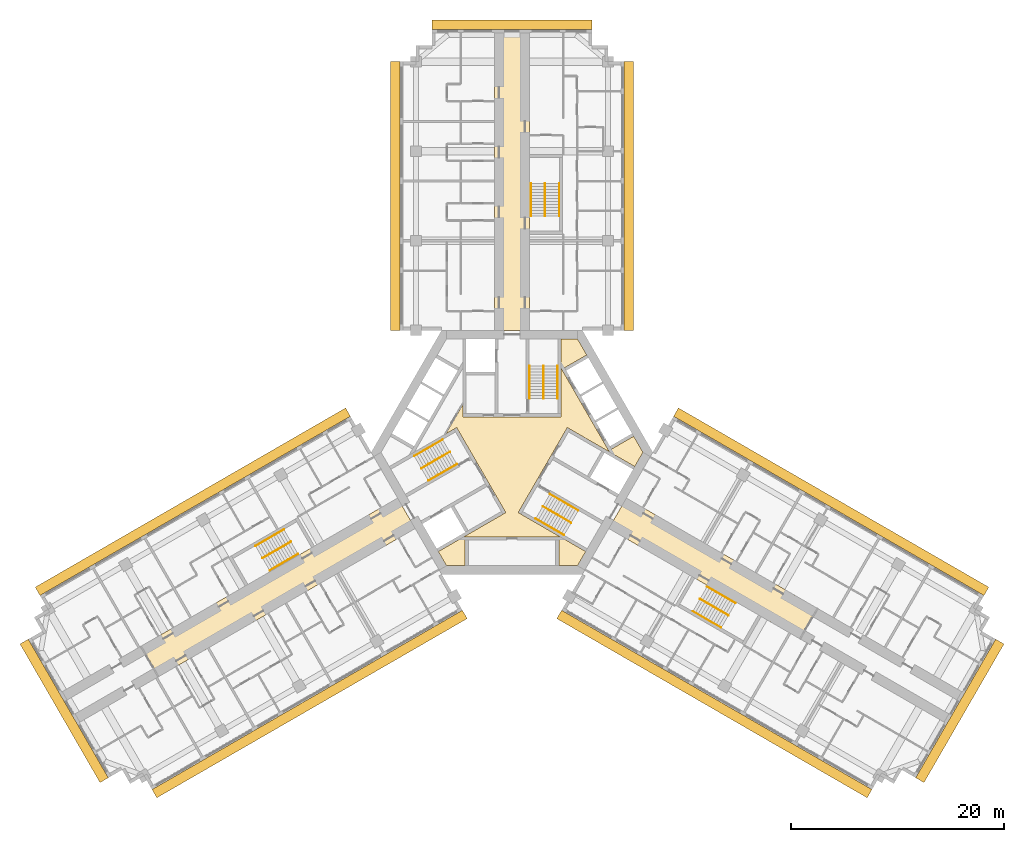
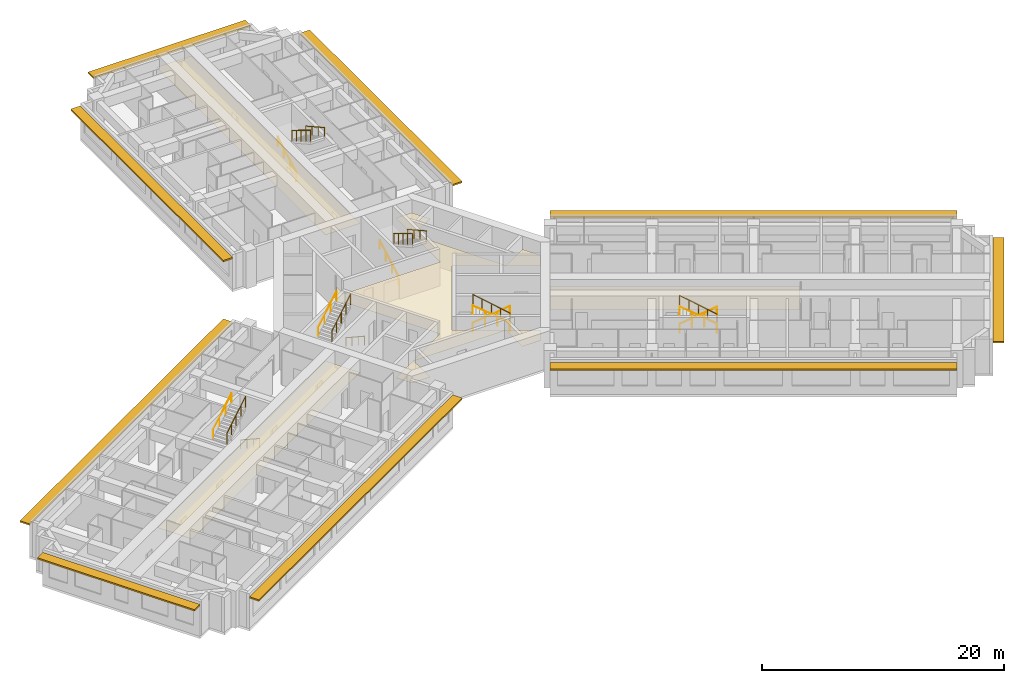
# One storey, part 15 of 15: 18 railings, 4 coverings, 3 shading devices.
"""IFC4 building model written with IfcOpenShell, lengths in metres."""

from ifc_helpers import new_model, si_unit, direction, frame, origin, origin_2d, place, context, subcontext, project, spatial, polyline, rectangle, circle, outline, extrude, material, layer, layer_set, type_object, element, save


model = new_model("IFC4")

# Units and contexts
model_context = context("Model", 3, precision=1e-05, world=origin(), true_north=direction((0.0, 1.0)))
body_context = subcontext(model_context, "Body", "Model", "MODEL_VIEW")
ifc_project = project(units=[si_unit("LENGTHUNIT", "METRE"), si_unit("AREAUNIT", "SQUARE_METRE"), si_unit("VOLUMEUNIT", "CUBIC_METRE"), si_unit("PLANEANGLEUNIT", "RADIAN"), si_unit("MASSUNIT", "GRAM", prefix="KILO")], contexts=[model_context])

# Site, building, storey
site_placement = place(None, origin())
site = spatial("IfcSite", under=ifc_project, at=site_placement, CompositionType="ELEMENT")
building_placement = place(site_placement, origin())
building = spatial("IfcBuilding", under=site, at=building_placement, Name="Impinga Residences", CompositionType="ELEMENT")
storey_placement = place(building_placement, frame((0.0, 0.0, 109.75)))
storey = spatial("IfcBuildingStorey", under=building, at=storey_placement, Name="L26", CompositionType="ELEMENT", Elevation=109.75)

# Coverings
ifc_material_1 = material(Name="Plasterboard 15 mm on steel hangers", Category="steel")
ifc_layer_1 = layer(ifc_material_1, 0.014892578125)
ifc_layer_set_1 = layer_set([ifc_layer_1], Name="Plasterboard 15 mm on steel hangers")
covering_type_1 = type_object("IfcCoveringType", Name="CL1 corridor ceiling, 15 mm plasterboard on hangers", PredefinedType="CEILING", material=ifc_layer_set_1)
covering_1_placement = place(storey_placement, frame((0.0, 0.0, 2.39990234375)))
element("IfcCovering", 1, at=covering_1_placement, inside=storey, type_object=covering_type_1, Name="Corridor ceiling CL1 L26-N00", PredefinedType="CEILING", context=body_context, shape_type="SweptSolid", body=[
    extrude(outline(polyline([(-1.64990234375, 11.431640625), (1.64990234375, 11.431640625), (1.64990234375, 39.33154296875), (-1.64990234375, 39.33154296875), (-1.64990234375, 11.431640625)])), origin(), (0.0, 0.0, 1.0), 0.01513671875),
])
covering_2_placement = place(storey_placement, frame((0.0, 0.0, 2.39990234375)))
element("IfcCovering", 2, at=covering_2_placement, inside=storey, type_object=covering_type_1, Name="Corridor ceiling CL1 L26-W00", PredefinedType="CEILING", context=body_context, shape_type="SweptSolid", body=[
    extrude(outline(polyline([(-9.074951171875, -7.144775390625), (-10.72509765625, -4.286865234375), (-34.75732421875, -18.161865234375), (-33.107177734375, -21.019775390625), (-9.074951171875, -7.144775390625)])), origin(), (0.0, 0.0, 1.0), 0.01513671875),
])
covering_3_placement = place(storey_placement, frame((0.0, 0.0, 2.39990234375)))
element("IfcCovering", 3, at=covering_3_placement, inside=storey, type_object=covering_type_1, Name="Corridor ceiling CL1 L26-E00", PredefinedType="CEILING", context=body_context, shape_type="SweptSolid", body=[
    extrude(outline(polyline([(9.074951171875, -7.144775390625), (10.72509765625, -4.286865234375), (28.60888671875, -14.612060546875), (26.958740234375, -17.469970703125), (9.074951171875, -7.144775390625)])), origin(), (0.0, 0.0, 1.0), 0.01513671875),
])
ifc_material_2 = material(Name="Mineral fibre tiles 20 mm on exposed grid", Category="mineral fibre")
ifc_layer_2 = layer(ifc_material_2, 0.02001953125)
ifc_layer_set_2 = layer_set([ifc_layer_2], Name="CL2 lift lobby ceiling, 20 mm mineral fibre tiles")
covering_type_2 = type_object("IfcCoveringType", Name="CL2 lift lobby ceiling, 20 mm mineral fibre tiles", PredefinedType="CEILING", material=ifc_layer_set_2)
covering_4_placement = place(storey_placement, frame((0.0, 0.0, 2.39990234375)))
element("IfcCovering", 4, at=covering_4_placement, inside=storey, type_object=covering_type_2, Name="Lift lobby ceiling CL2 L26-C01", PredefinedType="CEILING", context=body_context, shape_type="SweptSolid", body=[
    extrude(outline(polyline([(5.183837890625, 2.318603515625), (0.583984375, -5.648681640625), (6.9072265625, -9.299560546875), (6.13818359375, -10.631591796875), (4.39990234375, -10.631591796875), (4.39990234375, -7.931640625), (-4.39990234375, -7.931640625), (-4.39990234375, -10.631591796875), (-6.13818359375, -10.631591796875), (-6.9072265625, -9.299560546875), (-0.583984375, -5.648681640625), (-5.183837890625, 2.318603515625), (-6.193359375, 1.73583984375), (-4.60009765625, 4.49560546875), (-4.60009765625, 3.330078125), (4.60009765625, 3.330078125), (4.60009765625, 10.631591796875), (6.13818359375, 10.631591796875), (7.007080078125, 9.126220703125), (4.6689453125, 7.7763671875), (9.06884765625, 0.1552734375), (11.4072265625, 1.50537109375), (12.276123046875, 0.0), (11.507080078125, -1.33203125), (5.183837890625, 2.318603515625)])), origin(), (0.0, 0.0, 1.0), 0.02001953125),
])

# Railings
ifc_material_3 = material(Name="Steel guard, powder coated", Category="steel")
railing_type_1 = type_object("IfcRailingType", Name="GR1 stair guard 1100", PredefinedType="GUARDRAIL", material=ifc_material_3)
railing_1_placement = place(storey_placement, frame((2.949951171875, 8.110107421875, 1.875)))
element("IfcRailing", 5, at=railing_1_placement, inside=storey, type_object=railing_type_1, Name="Stair guard GR1 ST1 L26", PredefinedType="GUARDRAIL", context=body_context, shape_type="SweptSolid", body=[
    extrude(circle(Radius=0.02392578125, at=origin_2d()), frame((0.0, 0.0, 1.076171875), z_axis=(0.0, -0.854177636135, 0.519981313056), x_axis=(1.0, 0.0, 0.0)), (0.0, 0.0, 1.0), 3.60595703125),
    extrude(circle(Radius=0.02099609375, at=origin_2d()), origin(), (0.0, 0.0, 1.0), 1.052001953125),
    extrude(circle(Radius=0.02099609375, at=origin_2d()), frame((0.0, -0.77001953125, 0.46875)), (0.0, 0.0, 1.0), 1.052001953125),
    extrude(circle(Radius=0.02099609375, at=origin_2d()), frame((0.0, -1.5400390625, 0.9375)), (0.0, 0.0, 1.0), 1.052001953125),
    extrude(circle(Radius=0.02099609375, at=origin_2d()), frame((0.0, -2.31005859375, 1.40625)), (0.0, 0.0, 1.0), 1.052001953125),
    extrude(circle(Radius=0.02099609375, at=origin_2d()), frame((0.0, -3.080078125, 1.875)), (0.0, 0.0, 1.0), 1.052001953125),
])
railing_2_placement = place(storey_placement, frame((-8.49853515625, -1.500244140625, 1.875)))
element("IfcRailing", 6, at=railing_2_placement, inside=storey, type_object=railing_type_1, Name="Stair guard GR1 ST2 L26", PredefinedType="GUARDRAIL", context=body_context, shape_type="SweptSolid", body=[
    extrude(circle(Radius=0.02392578125, at=origin_2d()), frame((0.0, 0.0, 1.076171875), z_axis=(0.739746383972, 0.427084037168, 0.519975492303), x_axis=(-0.499992328818, 0.866029832698, 0.0)), (0.0, 0.0, 1.0), 3.60595703125),
    extrude(circle(Radius=0.02099609375, at=origin_2d()), origin(), (0.0, 0.0, 1.0), 1.052001953125),
    extrude(circle(Radius=0.02099609375, at=origin_2d()), frame((0.6669921875, 0.385009765625, 0.46875)), (0.0, 0.0, 1.0), 1.052001953125),
    extrude(circle(Radius=0.02099609375, at=origin_2d()), frame((1.333740234375, 0.77001953125, 0.9375)), (0.0, 0.0, 1.0), 1.052001953125),
    extrude(circle(Radius=0.02099609375, at=origin_2d()), frame((2.00048828125, 1.155029296875, 1.40625)), (0.0, 0.0, 1.0), 1.052001953125),
    extrude(circle(Radius=0.02099609375, at=origin_2d()), frame((2.66748046875, 1.5400390625, 1.875)), (0.0, 0.0, 1.0), 1.052001953125),
])
railing_3_placement = place(storey_placement, frame((5.548583984375, -6.60986328125, 1.875)))
element("IfcRailing", 7, at=railing_3_placement, inside=storey, type_object=railing_type_1, Name="Stair guard GR1 ST3 L26", PredefinedType="GUARDRAIL", context=body_context, shape_type="SweptSolid", body=[
    extrude(circle(Radius=0.02392578125, at=origin_2d()), frame((0.0, 0.0, 1.076171875), z_axis=(-0.739746383972, 0.427084037168, 0.519975492303), x_axis=(-0.499992328818, -0.866029832698, 0.0)), (0.0, 0.0, 1.0), 3.60595703125),
    extrude(circle(Radius=0.02099609375, at=origin_2d()), origin(), (0.0, 0.0, 1.0), 1.052001953125),
    extrude(circle(Radius=0.02099609375, at=origin_2d()), frame((-0.6669921875, 0.385009765625, 0.46875)), (0.0, 0.0, 1.0), 1.052001953125),
    extrude(circle(Radius=0.02099609375, at=origin_2d()), frame((-1.333740234375, 0.77001953125, 0.9375)), (0.0, 0.0, 1.0), 1.052001953125),
    extrude(circle(Radius=0.02099609375, at=origin_2d()), frame((-2.00048828125, 1.155029296875, 1.40625)), (0.0, 0.0, 1.0), 1.052001953125),
    extrude(circle(Radius=0.02099609375, at=origin_2d()), frame((-2.66748046875, 1.5400390625, 1.875)), (0.0, 0.0, 1.0), 1.052001953125),
])
railing_4_placement = place(storey_placement, frame((3.10009765625, 25.21142578125, 1.875)))
element("IfcRailing", 8, at=railing_4_placement, inside=storey, type_object=railing_type_1, Name="Stair guard GR1 WS1 L26", PredefinedType="GUARDRAIL", context=body_context, shape_type="SweptSolid", body=[
    extrude(circle(Radius=0.02392578125, at=origin_2d()), frame((0.0, 0.0, 1.076171875), z_axis=(0.0, -0.854159328187, 0.520011386482), x_axis=(1.0, 0.0, 0.0)), (0.0, 0.0, 1.0), 3.605712890625),
    extrude(circle(Radius=0.02099609375, at=origin_2d()), origin(), (0.0, 0.0, 1.0), 1.052001953125),
    extrude(circle(Radius=0.02099609375, at=origin_2d()), frame((0.0, -0.77001953125, 0.46875)), (0.0, 0.0, 1.0), 1.052001953125),
    extrude(circle(Radius=0.02099609375, at=origin_2d()), frame((0.0, -1.5400390625, 0.9375)), (0.0, 0.0, 1.0), 1.052001953125),
    extrude(circle(Radius=0.02099609375, at=origin_2d()), frame((0.0, -2.309814453125, 1.40625)), (0.0, 0.0, 1.0), 1.052001953125),
    extrude(circle(Radius=0.02099609375, at=origin_2d()), frame((0.0, -3.079833984375, 1.875)), (0.0, 0.0, 1.0), 1.052001953125),
])
railing_5_placement = place(storey_placement, frame((-23.3837890625, -9.921142578125, 1.875)))
element("IfcRailing", 9, at=railing_5_placement, inside=storey, type_object=railing_type_1, Name="Stair guard GR1 WS2 L26", PredefinedType="GUARDRAIL", context=body_context, shape_type="SweptSolid", body=[
    extrude(circle(Radius=0.02392578125, at=origin_2d()), frame((0.0, 0.0, 1.076171875), z_axis=(0.739715726454, 0.427105428144, 0.52000153585), x_axis=(-0.500026652407, 0.866010015463, 0.0)), (0.0, 0.0, 1.0), 3.605712890625),
    extrude(circle(Radius=0.02099609375, at=origin_2d()), origin(), (0.0, 0.0, 1.0), 1.052001953125),
    extrude(circle(Radius=0.02099609375, at=origin_2d()), frame((0.666748046875, 0.385009765625, 0.46875)), (0.0, 0.0, 1.0), 1.052001953125),
    extrude(circle(Radius=0.02099609375, at=origin_2d()), frame((1.33349609375, 0.77001953125, 0.9375)), (0.0, 0.0, 1.0), 1.052001953125),
    extrude(circle(Radius=0.02099609375, at=origin_2d()), frame((2.00048828125, 1.155029296875, 1.40625)), (0.0, 0.0, 1.0), 1.052001953125),
    extrude(circle(Radius=0.02099609375, at=origin_2d()), frame((2.667236328125, 1.5400390625, 1.875)), (0.0, 0.0, 1.0), 1.052001953125),
])
railing_6_placement = place(storey_placement, frame((20.283935546875, -15.29052734375, 1.875)))
element("IfcRailing", 10, at=railing_6_placement, inside=storey, type_object=railing_type_1, Name="Stair guard GR1 WS3 L26", PredefinedType="GUARDRAIL", context=body_context, shape_type="SweptSolid", body=[
    extrude(circle(Radius=0.02392578125, at=origin_2d()), frame((0.0, 0.0, 1.076171875), z_axis=(-0.739746383972, 0.427084037168, 0.519975492303), x_axis=(-0.499992328818, -0.866029832698, 0.0)), (0.0, 0.0, 1.0), 3.60595703125),
    extrude(circle(Radius=0.02099609375, at=origin_2d()), origin(), (0.0, 0.0, 1.0), 1.052001953125),
    extrude(circle(Radius=0.02099609375, at=origin_2d()), frame((-0.6669921875, 0.385009765625, 0.46875)), (0.0, 0.0, 1.0), 1.052001953125),
    extrude(circle(Radius=0.02099609375, at=origin_2d()), frame((-1.333740234375, 0.77001953125, 0.9375)), (0.0, 0.0, 1.0), 1.052001953125),
    extrude(circle(Radius=0.02099609375, at=origin_2d()), frame((-2.00048828125, 1.155029296875, 1.40625)), (0.0, 0.0, 1.0), 1.052001953125),
    extrude(circle(Radius=0.02099609375, at=origin_2d()), frame((-2.66748046875, 1.5400390625, 1.875)), (0.0, 0.0, 1.0), 1.052001953125),
])
ifc_material_4 = material(Name="Steel handrail tube 42 mm, powder coated", Category="steel")
railing_type_2 = type_object("IfcRailingType", Name="HR1 stair handrail, 42 mm steel tube, 900 above the pitch line", PredefinedType="HANDRAIL", material=ifc_material_4)
railing_7_placement = place(storey_placement, frame((1.62109375, 5.030029296875, 0.15625)))
element("IfcRailing", 11, at=railing_7_placement, inside=storey, type_object=railing_type_2, Name="Stair handrail HR1 ST1 L26", PredefinedType="HANDRAIL", context=body_context, shape_type="SweptSolid", body=[
    extrude(circle(Radius=0.02099609375, at=origin_2d()), frame((0.0, 0.0, 0.87890625), z_axis=(0.0, 0.873241540666, 0.487287606713), x_axis=(-1.0, 0.0, 0.0)), (0.0, 0.0, 1.0), 3.527099609375),
    extrude(circle(Radius=0.012451171875, at=origin_2d()), origin(), (0.0, 0.0, 1.0), 0.85791015625),
    extrude(circle(Radius=0.012451171875, at=origin_2d()), frame((0.0, 1.026611328125, 0.572998046875)), (0.0, 0.0, 1.0), 0.85791015625),
    extrude(circle(Radius=0.012451171875, at=origin_2d()), frame((0.0, 2.053466796875, 1.145751953125)), (0.0, 0.0, 1.0), 0.85791015625),
    extrude(circle(Radius=0.012451171875, at=origin_2d()), frame((0.0, 3.080078125, 1.71875)), (0.0, 0.0, 1.0), 0.85791015625),
])
railing_8_placement = place(storey_placement, frame((4.279052734375, 8.110107421875, 2.03125)))
element("IfcRailing", 12, at=railing_8_placement, inside=storey, type_object=railing_type_2, Name="Stair handrail HR1 ST1 L26", PredefinedType="HANDRAIL", context=body_context, shape_type="SweptSolid", body=[
    extrude(circle(Radius=0.02099609375, at=origin_2d()), frame((0.0, 0.0, 0.87890625), z_axis=(0.0, -0.873241540666, 0.487287606713), x_axis=(1.0, 0.0, 0.0)), (0.0, 0.0, 1.0), 3.527099609375),
    extrude(circle(Radius=0.012451171875, at=origin_2d()), origin(), (0.0, 0.0, 1.0), 0.85791015625),
    extrude(circle(Radius=0.012451171875, at=origin_2d()), frame((0.0, -1.026611328125, 0.572998046875)), (0.0, 0.0, 1.0), 0.85791015625),
    extrude(circle(Radius=0.012451171875, at=origin_2d()), frame((0.0, -2.053466796875, 1.145751953125)), (0.0, 0.0, 1.0), 0.85791015625),
    extrude(circle(Radius=0.012451171875, at=origin_2d()), frame((0.0, -3.080078125, 1.71875)), (0.0, 0.0, 1.0), 0.85791015625),
])
railing_9_placement = place(storey_placement, frame((-5.16650390625, -1.111083984375, 0.15625)))
element("IfcRailing", 13, at=railing_9_placement, inside=storey, type_object=railing_type_2, Name="Stair handrail HR1 ST2 L26", PredefinedType="HANDRAIL", context=body_context, shape_type="SweptSolid", body=[
    extrude(circle(Radius=0.02099609375, at=origin_2d()), frame((0.0, 0.0, 0.87890625), z_axis=(-0.756255980417, -0.436615662133, 0.487281905742), x_axis=(0.499992328818, -0.866029832698, 0.0)), (0.0, 0.0, 1.0), 3.527099609375),
    extrude(circle(Radius=0.012451171875, at=origin_2d()), origin(), (0.0, 0.0, 1.0), 0.85791015625),
    extrude(circle(Radius=0.012451171875, at=origin_2d()), frame((-0.88916015625, -0.513427734375, 0.572998046875)), (0.0, 0.0, 1.0), 0.85791015625),
    extrude(circle(Radius=0.012451171875, at=origin_2d()), frame((-1.7783203125, -1.026611328125, 1.145751953125)), (0.0, 0.0, 1.0), 0.85791015625),
    extrude(circle(Radius=0.012451171875, at=origin_2d()), frame((-2.66748046875, -1.5400390625, 1.71875)), (0.0, 0.0, 1.0), 0.85791015625),
])
railing_10_placement = place(storey_placement, frame((-9.1630859375, -0.349365234375, 2.03125)))
element("IfcRailing", 14, at=railing_10_placement, inside=storey, type_object=railing_type_2, Name="Stair handrail HR1 ST2 L26", PredefinedType="HANDRAIL", context=body_context, shape_type="SweptSolid", body=[
    extrude(circle(Radius=0.02099609375, at=origin_2d()), frame((0.0, 0.0, 0.87890625), z_axis=(0.756255980417, 0.436615662133, 0.487281905742), x_axis=(-0.499992328818, 0.866029832698, 0.0)), (0.0, 0.0, 1.0), 3.527099609375),
    extrude(circle(Radius=0.012451171875, at=origin_2d()), origin(), (0.0, 0.0, 1.0), 0.85791015625),
    extrude(circle(Radius=0.012451171875, at=origin_2d()), frame((0.88916015625, 0.513427734375, 0.572998046875)), (0.0, 0.0, 1.0), 0.85791015625),
    extrude(circle(Radius=0.012451171875, at=origin_2d()), frame((1.7783203125, 1.026611328125, 1.145751953125)), (0.0, 0.0, 1.0), 0.85791015625),
    extrude(circle(Radius=0.012451171875, at=origin_2d()), frame((2.66748046875, 1.5400390625, 1.71875)), (0.0, 0.0, 1.0), 0.85791015625),
])
railing_11_placement = place(storey_placement, frame((3.545654296875, -3.9189453125, 0.15625)))
element("IfcRailing", 15, at=railing_11_placement, inside=storey, type_object=railing_type_2, Name="Stair handrail HR1 ST3 L26", PredefinedType="HANDRAIL", context=body_context, shape_type="SweptSolid", body=[
    extrude(circle(Radius=0.02099609375, at=origin_2d()), frame((0.0, 0.0, 0.87890625), z_axis=(0.756249203677, -0.436582492228, 0.487322141317), x_axis=(0.499967199496, 0.866044340336, 0.0)), (0.0, 0.0, 1.0), 3.52685546875),
    extrude(circle(Radius=0.012451171875, at=origin_2d()), origin(), (0.0, 0.0, 1.0), 0.85791015625),
    extrude(circle(Radius=0.012451171875, at=origin_2d()), frame((0.88916015625, -0.51318359375, 0.572998046875)), (0.0, 0.0, 1.0), 0.85791015625),
    extrude(circle(Radius=0.012451171875, at=origin_2d()), frame((1.778076171875, -1.026611328125, 1.145751953125)), (0.0, 0.0, 1.0), 0.85791015625),
    extrude(circle(Radius=0.012451171875, at=origin_2d()), frame((2.667236328125, -1.539794921875, 1.71875)), (0.0, 0.0, 1.0), 0.85791015625),
])
railing_12_placement = place(storey_placement, frame((4.884033203125, -7.7607421875, 2.03125)))
element("IfcRailing", 16, at=railing_12_placement, inside=storey, type_object=railing_type_2, Name="Stair handrail HR1 ST3 L26", PredefinedType="HANDRAIL", context=body_context, shape_type="SweptSolid", body=[
    extrude(circle(Radius=0.02099609375, at=origin_2d()), frame((0.0, 0.0, 0.87890625), z_axis=(-0.756255980417, 0.436615662133, 0.487281905742), x_axis=(-0.499992328818, -0.866029832698, 0.0)), (0.0, 0.0, 1.0), 3.527099609375),
    extrude(circle(Radius=0.012451171875, at=origin_2d()), origin(), (0.0, 0.0, 1.0), 0.85791015625),
    extrude(circle(Radius=0.012451171875, at=origin_2d()), frame((-0.88916015625, 0.513427734375, 0.572998046875)), (0.0, 0.0, 1.0), 0.85791015625),
    extrude(circle(Radius=0.012451171875, at=origin_2d()), frame((-1.7783203125, 1.026611328125, 1.145751953125)), (0.0, 0.0, 1.0), 0.85791015625),
    extrude(circle(Radius=0.012451171875, at=origin_2d()), frame((-2.66748046875, 1.5400390625, 1.71875)), (0.0, 0.0, 1.0), 0.85791015625),
])
railing_13_placement = place(storey_placement, frame((1.77099609375, 22.131591796875, 0.15625)))
element("IfcRailing", 17, at=railing_13_placement, inside=storey, type_object=railing_type_2, Name="Stair handrail HR1 WS1 L26", PredefinedType="HANDRAIL", context=body_context, shape_type="SweptSolid", body=[
    extrude(circle(Radius=0.02099609375, at=origin_2d()), frame((0.0, 0.0, 0.87890625), z_axis=(0.0, 0.873225103656, 0.487317061414), x_axis=(-1.0, 0.0, 0.0)), (0.0, 0.0, 1.0), 3.52685546875),
    extrude(circle(Radius=0.012451171875, at=origin_2d()), origin(), (0.0, 0.0, 1.0), 0.85791015625),
    extrude(circle(Radius=0.012451171875, at=origin_2d()), frame((0.0, 1.026611328125, 0.572998046875)), (0.0, 0.0, 1.0), 0.85791015625),
    extrude(circle(Radius=0.012451171875, at=origin_2d()), frame((0.0, 2.05322265625, 1.145751953125)), (0.0, 0.0, 1.0), 0.85791015625),
    extrude(circle(Radius=0.012451171875, at=origin_2d()), frame((0.0, 3.079833984375, 1.71875)), (0.0, 0.0, 1.0), 0.85791015625),
])
railing_14_placement = place(storey_placement, frame((4.428955078125, 25.21142578125, 2.03125)))
element("IfcRailing", 18, at=railing_14_placement, inside=storey, type_object=railing_type_2, Name="Stair handrail HR1 WS1 L26", PredefinedType="HANDRAIL", context=body_context, shape_type="SweptSolid", body=[
    extrude(circle(Radius=0.02099609375, at=origin_2d()), frame((0.0, 0.0, 0.87890625), z_axis=(0.0, -0.873225103656, 0.487317061414), x_axis=(1.0, 0.0, 0.0)), (0.0, 0.0, 1.0), 3.52685546875),
    extrude(circle(Radius=0.012451171875, at=origin_2d()), origin(), (0.0, 0.0, 1.0), 0.85791015625),
    extrude(circle(Radius=0.012451171875, at=origin_2d()), frame((0.0, -1.026611328125, 0.572998046875)), (0.0, 0.0, 1.0), 0.85791015625),
    extrude(circle(Radius=0.012451171875, at=origin_2d()), frame((0.0, -2.05322265625, 1.145751953125)), (0.0, 0.0, 1.0), 0.85791015625),
    extrude(circle(Radius=0.012451171875, at=origin_2d()), frame((0.0, -3.079833984375, 1.71875)), (0.0, 0.0, 1.0), 0.85791015625),
])
railing_15_placement = place(storey_placement, frame((-20.052001953125, -9.531982421875, 0.15625)))
element("IfcRailing", 19, at=railing_15_placement, inside=storey, type_object=railing_type_2, Name="Stair handrail HR1 WS2 L26", PredefinedType="HANDRAIL", context=body_context, shape_type="SweptSolid", body=[
    extrude(circle(Radius=0.02099609375, at=origin_2d()), frame((0.0, 0.0, 0.87890625), z_axis=(-0.756226348243, -0.436638517594, 0.487307413422), x_axis=(0.500026652407, -0.866010015463, 0.0)), (0.0, 0.0, 1.0), 3.527099609375),
    extrude(circle(Radius=0.012451171875, at=origin_2d()), origin(), (0.0, 0.0, 1.0), 0.85791015625),
    extrude(circle(Radius=0.012451171875, at=origin_2d()), frame((-0.88916015625, -0.513427734375, 0.572998046875)), (0.0, 0.0, 1.0), 0.85791015625),
    extrude(circle(Radius=0.012451171875, at=origin_2d()), frame((-1.778076171875, -1.026611328125, 1.145751953125)), (0.0, 0.0, 1.0), 0.85791015625),
    extrude(circle(Radius=0.012451171875, at=origin_2d()), frame((-2.667236328125, -1.5400390625, 1.71875)), (0.0, 0.0, 1.0), 0.85791015625),
])
railing_16_placement = place(storey_placement, frame((-24.04833984375, -8.77001953125, 2.03125)))
element("IfcRailing", 20, at=railing_16_placement, inside=storey, type_object=railing_type_2, Name="Stair handrail HR1 WS2 L26", PredefinedType="HANDRAIL", context=body_context, shape_type="SweptSolid", body=[
    extrude(circle(Radius=0.02099609375, at=origin_2d()), frame((0.0, 0.0, 0.87890625), z_axis=(0.756278834354, 0.436559638319, 0.487296631324), x_axis=(-0.499932877268, 0.866064153644, 0.0)), (0.0, 0.0, 1.0), 3.527099609375),
    extrude(circle(Radius=0.012451171875, at=origin_2d()), origin(), (0.0, 0.0, 1.0), 0.85791015625),
    extrude(circle(Radius=0.012451171875, at=origin_2d()), frame((0.88916015625, 0.51318359375, 0.572998046875)), (0.0, 0.0, 1.0), 0.85791015625),
    extrude(circle(Radius=0.012451171875, at=origin_2d()), frame((1.7783203125, 1.026611328125, 1.145751953125)), (0.0, 0.0, 1.0), 0.85791015625),
    extrude(circle(Radius=0.012451171875, at=origin_2d()), frame((2.66748046875, 1.539794921875, 1.71875)), (0.0, 0.0, 1.0), 0.85791015625),
])
railing_17_placement = place(storey_placement, frame((18.281005859375, -12.599609375, 0.15625)))
element("IfcRailing", 21, at=railing_17_placement, inside=storey, type_object=railing_type_2, Name="Stair handrail HR1 WS3 L26", PredefinedType="HANDRAIL", context=body_context, shape_type="SweptSolid", body=[
    extrude(circle(Radius=0.02099609375, at=origin_2d()), frame((0.0, 0.0, 0.87890625), z_axis=(0.756249203677, -0.436582492228, 0.487322141317), x_axis=(0.499967199496, 0.866044340336, 0.0)), (0.0, 0.0, 1.0), 3.52685546875),
    extrude(circle(Radius=0.012451171875, at=origin_2d()), origin(), (0.0, 0.0, 1.0), 0.85791015625),
    extrude(circle(Radius=0.012451171875, at=origin_2d()), frame((0.88916015625, -0.51318359375, 0.572998046875)), (0.0, 0.0, 1.0), 0.85791015625),
    extrude(circle(Radius=0.012451171875, at=origin_2d()), frame((1.778076171875, -1.026611328125, 1.145751953125)), (0.0, 0.0, 1.0), 0.85791015625),
    extrude(circle(Radius=0.012451171875, at=origin_2d()), frame((2.667236328125, -1.539794921875, 1.71875)), (0.0, 0.0, 1.0), 0.85791015625),
])
railing_18_placement = place(storey_placement, frame((19.619384765625, -16.44140625, 2.03125)))
element("IfcRailing", 22, at=railing_18_placement, inside=storey, type_object=railing_type_2, Name="Stair handrail HR1 WS3 L26", PredefinedType="HANDRAIL", context=body_context, shape_type="SweptSolid", body=[
    extrude(circle(Radius=0.02099609375, at=origin_2d()), frame((0.0, 0.0, 0.87890625), z_axis=(-0.756255980417, 0.436615662133, 0.487281905742), x_axis=(-0.499992328818, -0.866029832698, 0.0)), (0.0, 0.0, 1.0), 3.527099609375),
    extrude(circle(Radius=0.012451171875, at=origin_2d()), origin(), (0.0, 0.0, 1.0), 0.85791015625),
    extrude(circle(Radius=0.012451171875, at=origin_2d()), frame((-0.88916015625, 0.513427734375, 0.572998046875)), (0.0, 0.0, 1.0), 0.85791015625),
    extrude(circle(Radius=0.012451171875, at=origin_2d()), frame((-1.7783203125, 1.026611328125, 1.145751953125)), (0.0, 0.0, 1.0), 0.85791015625),
    extrude(circle(Radius=0.012451171875, at=origin_2d()), frame((-2.66748046875, 1.5400390625, 1.71875)), (0.0, 0.0, 1.0), 0.85791015625),
])

# Shading devices
ifc_material_5 = material(Name="Terracotta sunshade blades on aluminium brackets", Category="masonry")
ifc_layer_3 = layer(ifc_material_5, 0.14990234375)
ifc_layer_set_3 = layer_set([ifc_layer_3], Name="SS1 SUNSHADE terracotta sunshade band 900")
shading_device_type = type_object("IfcShadingDeviceType", Name="SS1 SUNSHADE terracotta sunshade band 900", PredefinedType="USERDEFINED", material=ifc_layer_set_3)
shading_device_1_placement = place(storey_placement, frame((-10.949951171875, 24.031494140625, 3.10009765625), z_axis=(0.0, 0.0, 1.0), x_axis=(0.0, 1.0, 0.0)))
element("IfcShadingDevice", 23, at=shading_device_1_placement, inside=storey, type_object=shading_device_type, Name="SUNSHADE band L26 NORTH WING", ObjectType="SUNSHADE", PredefinedType="USERDEFINED", context=body_context, shape_type="SweptSolid", body=[
    extrude(rectangle(XDim=25.199951171875, YDim=0.89990234375, at=origin_2d()), origin(), (0.0, 0.0, 1.0), 0.14990234375),
    extrude(rectangle(XDim=15.0, YDim=0.89990234375, at=origin_2d()), frame((16.050048828125, -10.949951171875, 0.0), z_axis=(0.0, 0.0, 1.0), x_axis=(0.0, -1.0, 0.0)), (0.0, 0.0, 1.0), 0.14990234375),
    extrude(rectangle(XDim=25.199951171875, YDim=0.89990234375, at=origin_2d()), frame((0.0, -21.89990234375, 0.0), z_axis=(0.0, 0.0, 1.0), x_axis=(-1.0, 0.0, 0.0)), (0.0, 0.0, 1.0), 0.14990234375),
])
shading_device_2_placement = place(storey_placement, frame((-41.986328125, -24.24072265625, 3.10009765625), z_axis=(0.0, 0.0, 1.0), x_axis=(-0.5, 0.866025403784, 0.0)))
element("IfcShadingDevice", 24, at=shading_device_2_placement, inside=storey, type_object=shading_device_type, Name="SUNSHADE band L26 WEST WING", ObjectType="SUNSHADE", PredefinedType="USERDEFINED", context=body_context, shape_type="SweptSolid", body=[
    extrude(rectangle(XDim=15.0, YDim=0.89990234375, at=origin_2d()), origin(), (0.0, 0.0, 1.0), 0.14990234375),
    extrude(rectangle(XDim=33.60009765625, YDim=0.89990234375, at=origin_2d()), frame((10.949951171875, -20.25, 0.0), z_axis=(0.0, 0.0, 1.0), x_axis=(0.0, -1.0, 0.0)), (0.0, 0.0, 1.0), 0.14990234375),
    extrude(rectangle(XDim=33.60009765625, YDim=0.89990234375, at=origin_2d()), frame((-10.949951171875, -20.250244140625, 0.0), z_axis=(0.0, 0.0, 1.0), x_axis=(0.0, 1.0, 0.0)), (0.0, 0.0, 1.0), 0.14990234375),
])
shading_device_3_placement = place(storey_placement, frame((29.92431640625, -4.6328125, 3.10009765625), z_axis=(0.0, 0.0, 1.0), x_axis=(0.866025403784, -0.5, 0.0)))
element("IfcShadingDevice", 25, at=shading_device_3_placement, inside=storey, type_object=shading_device_type, Name="SUNSHADE band L26 EAST WING", ObjectType="SUNSHADE", PredefinedType="USERDEFINED", context=body_context, shape_type="SweptSolid", body=[
    extrude(rectangle(XDim=33.60009765625, YDim=0.89990234375, at=origin_2d()), origin(), (0.0, 0.0, 1.0), 0.14990234375),
    extrude(rectangle(XDim=15.0, YDim=0.89990234375, at=origin_2d()), frame((20.25, -10.949951171875, 0.0), z_axis=(0.0, 0.0, 1.0), x_axis=(0.0, -1.0, 0.0)), (0.0, 0.0, 1.0), 0.14990234375),
    extrude(rectangle(XDim=33.60009765625, YDim=0.89990234375, at=origin_2d()), frame((-0.000244140625, -21.89990234375, 0.0), z_axis=(0.0, 0.0, 1.0), x_axis=(-1.0, 0.0, 0.0)), (0.0, 0.0, 1.0), 0.14990234375),
])

save(model, "model.ifc")
